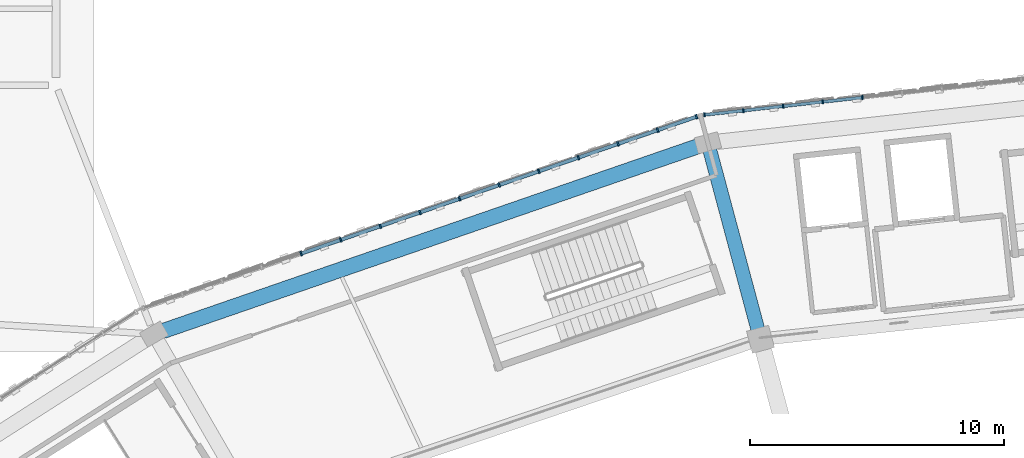
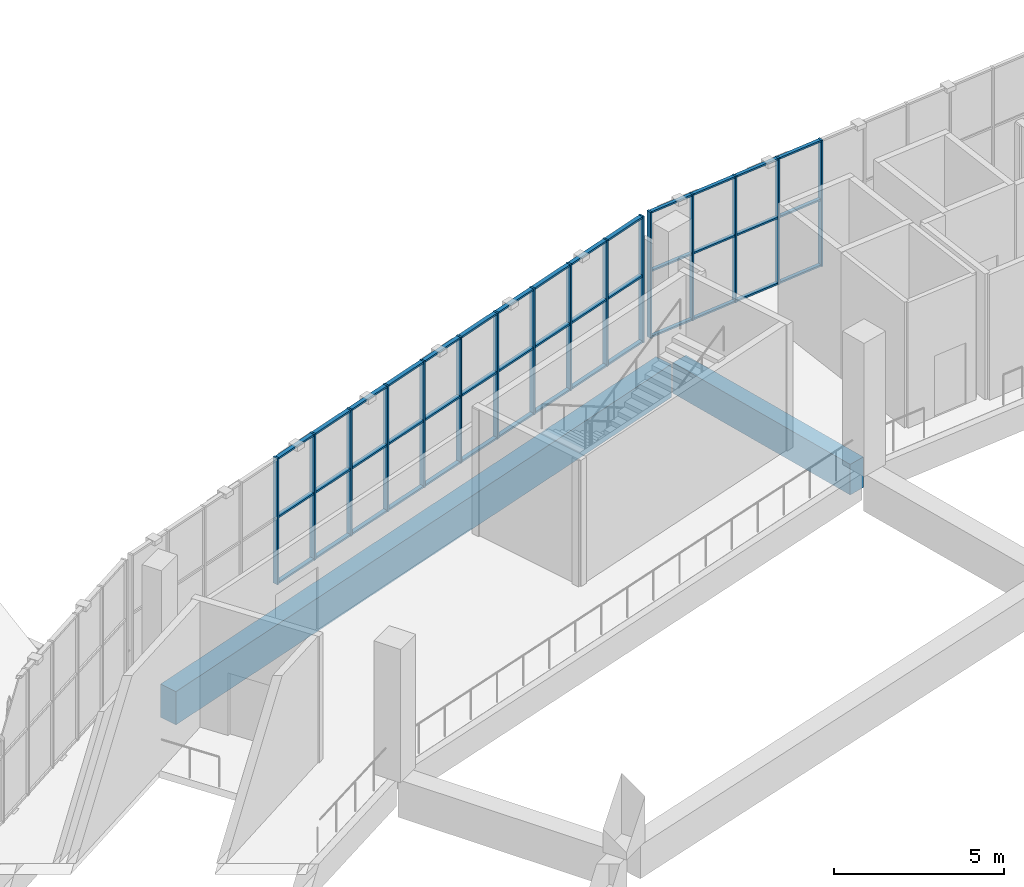
# One storey, part 39 of 108: 58 members, 2 beams, 2 elements without a shape of their own.
"""IFC4 building model written with IfcOpenShell, lengths in metres."""

import ifcopenshell
import ifcopenshell.guid

model = None  # the IFC model being written
_history = None  # IfcOwnerHistory: only IFC2X3 demands one
_inside = {}  # id of a spatial element -> (the spatial element, [elements in it])
_under = {}  # id of a project, library or spatial element -> (it, [spatial elements below it])
_declared = {}  # id of a project -> (the project, [libraries it declares])
_typed = {}  # id of a type object -> (the type object, [elements of that type])
_made_of = {}  # id of a material, layer set ... -> (it, [elements and type objects made of it])


def new_model(schema):
    """Start an empty IFC model of exactly this schema.

    Asked for "IFC4X3", IfcOpenShell would pick the latest addendum, in which some entities
    have other attributes; the version numbers below select the first issue.
    IFC2X3 requires an IfcOwnerHistory on every rooted entity: one is made here for all.
    """
    global model, _history
    if schema == "IFC4X3":
        model = ifcopenshell.file(schema_version=(4, 3, 0, 0))
    else:
        model = ifcopenshell.file(schema=schema)
    _inside.clear()
    _under.clear()
    _declared.clear()
    _typed.clear()
    _made_of.clear()
    _history = None
    if model.schema == "IFC2X3":
        org = make("IfcOrganization", Name="unknown")
        user = make(
            "IfcPersonAndOrganization",
            ThePerson=make("IfcPerson", FamilyName="unknown"),
            TheOrganization=org,
        )
        app = make(
            "IfcApplication",
            ApplicationDeveloper=org,
            Version="unknown",
            ApplicationFullName="unknown",
            ApplicationIdentifier="unknown",
        )
        _history = make(
            "IfcOwnerHistory",
            OwningUser=user,
            OwningApplication=app,
            ChangeAction="ADDED",
            CreationDate=0,
        )
    return model


def make(cls, **values):
    """One entity of the class cls with the attributes given. An attribute that is None is left unset."""
    return model.create_entity(
        cls, **{name: value for name, value in values.items() if value is not None}
    )


def rooted(cls, **values):
    """An entity with a GlobalId (a new one), such as an element, a storey or a relation."""
    return make(cls, GlobalId=ifcopenshell.guid.new(), OwnerHistory=_history, **values)


def si_unit(unit_type, name, prefix=None):
    """IfcSIUnit, for example si_unit("LENGTHUNIT", "METRE", prefix="MILLI")."""
    return make("IfcSIUnit", UnitType=unit_type, Prefix=prefix, Name=name)


def assignment(units):
    """IfcUnitAssignment: the units of a project."""
    return None if units is None else make("IfcUnitAssignment", Units=units)


def point(xyz):
    """IfcCartesianPoint."""
    return None if xyz is None else make("IfcCartesianPoint", Coordinates=xyz)


def direction(xyz):
    """IfcDirection."""
    return None if xyz is None else make("IfcDirection", DirectionRatios=xyz)


def frame(location, z_axis=None, x_axis=None):
    """IfcAxis2Placement3D, a coordinate frame: its origin and axes. An axis left out is left unset."""
    return make(
        "IfcAxis2Placement3D",
        Location=point(location),
        Axis=direction(z_axis),
        RefDirection=direction(x_axis),
    )


def frame_2d(location, x_axis=None):
    """IfcAxis2Placement2D, a coordinate frame in the plane: its origin and x axis."""
    return make(
        "IfcAxis2Placement2D", Location=point(location), RefDirection=direction(x_axis)
    )


def origin():
    """The frame at (0, 0, 0) with its axes left unset."""
    return frame((0.0, 0.0, 0.0))


def origin_2d():
    """The frame at (0, 0) in the plane with its x axis left unset."""
    return frame_2d((0.0, 0.0))


def place(relative_to, where):
    """IfcLocalPlacement: puts the frame where relative to a parent placement (None: the world)."""
    return make(
        "IfcLocalPlacement", PlacementRelTo=relative_to, RelativePlacement=where
    )


def context(
    kind, dimensions, precision=None, world=None, true_north=None, identifier=None
):
    """IfcGeometricRepresentationContext, for example the 3D "Model" context."""
    return make(
        "IfcGeometricRepresentationContext",
        ContextIdentifier=identifier,
        ContextType=kind,
        CoordinateSpaceDimension=dimensions,
        Precision=precision,
        WorldCoordinateSystem=world,
        TrueNorth=true_north,
    )


def subcontext(parent, identifier, kind, view, scale=None):
    """IfcGeometricRepresentationSubContext, for example "Body" below "Model"."""
    return make(
        "IfcGeometricRepresentationSubContext",
        ContextIdentifier=identifier,
        ContextType=kind,
        ParentContext=parent,
        TargetScale=scale,
        TargetView=view,
    )


def project(units=None, contexts=None):
    """IfcProject with its units and contexts."""
    return rooted(
        "IfcProject",
        Name="project",
        RepresentationContexts=contexts,
        UnitsInContext=assignment(units),
    )


def spatial(cls, under=None, at=None, **own):
    """A site, building, storey or space (cls), placed at a placement, below another one or the project."""
    s = rooted(cls, ObjectPlacement=at, **own)
    if under is not None:
        _under.setdefault(under.id(), (under, []))[1].append(s)
    return s


def profile(cls, at=None, kind="AREA", **sizes):
    """A parametric profile (cls). Its sizes go by their IFC names, for example OverallWidth=200.0."""
    return make(cls, ProfileType=kind, Position=at, **sizes)


def rectangle(**sizes):
    """IfcRectangleProfileDef."""
    return profile("IfcRectangleProfileDef", **sizes)


def extrude(swept, where, along, depth):
    """IfcExtrudedAreaSolid: the profile swept, set in the frame where, extruded along a direction by depth."""
    return make(
        "IfcExtrudedAreaSolid",
        SweptArea=swept,
        Position=where,
        ExtrudedDirection=direction(along),
        Depth=depth,
    )


def shape(context_of_items, identifier, shape_type, items):
    """IfcShapeRepresentation: the items that make up one representation, for example the "Body"."""
    return make(
        "IfcShapeRepresentation",
        ContextOfItems=context_of_items,
        RepresentationIdentifier=identifier,
        RepresentationType=shape_type,
        Items=items,
    )


def material(Name=None, Category=None):
    """IfcMaterial."""
    return make("IfcMaterial", Name=Name, Category=Category)


def material_profile(
    of_material, cross_section, Name=None, Category=None, Priority=None
):
    """IfcMaterialProfile: a cross section and its material."""
    return make(
        "IfcMaterialProfile",
        Name=Name,
        Material=of_material,
        Profile=cross_section,
        Priority=Priority,
        Category=Category,
    )


def profile_set(profiles, Name=None, composite=None):
    """IfcMaterialProfileSet."""
    return make(
        "IfcMaterialProfileSet",
        Name=Name,
        MaterialProfiles=profiles,
        CompositeProfile=composite,
    )


def made_of(thing, what):
    """Note that an element or type object is made of a material, layer set ...; save() writes the relation."""
    if what is not None:
        _made_of.setdefault(what.id(), (what, []))[1].append(thing)
    return thing


def type_object(cls, material=None, **own):
    """A type object (cls), such as IfcWallType, which elements share."""
    return made_of(rooted(cls, **own), material)


def element(
    cls,
    number,
    at=None,
    inside=None,
    cuts=None,
    type_object=None,
    material=None,
    context=None,
    identifier="Body",
    shape_type=None,
    held_by="IfcProductDefinitionShape",
    body=None,
    shapes=None,
    **own,
):
    """One element of the class cls, such as IfcWall. Its Tag is "e" and its number.

    at: its placement. inside: the storey or other place that contains it. cuts: it is an
    opening in that element (IfcRelVoidsElement). A single representation is given by context,
    identifier, shape_type and body (its items); several are given by shapes. held_by: the class
    of the entity that holds the representations. save() writes the other relations.
    """
    e = rooted(cls, Tag="e%d" % number, ObjectPlacement=at, **own)
    if body is not None:
        shapes = [shape(context, identifier, shape_type, body)]
    if shapes is not None:
        e.Representation = make(held_by, Representations=shapes)
    if inside is not None:
        _inside.setdefault(inside.id(), (inside, []))[1].append(e)
    if cuts is not None:
        rooted(
            "IfcRelVoidsElement", RelatingBuildingElement=cuts, RelatedOpeningElement=e
        )
    if type_object is not None:
        _typed.setdefault(type_object.id(), (type_object, []))[1].append(e)
    return made_of(e, material)


def aggregate(whole, parts):
    """IfcRelAggregates: a whole, such as a stair, and the parts it consists of."""
    return rooted("IfcRelAggregates", RelatingObject=whole, RelatedObjects=parts)


def save(model, path):
    """Write the relations noted so far, then the file.

    IfcRelAggregates (storeys below a building ...), IfcRelContainedInSpatialStructure (elements
    in a storey), IfcRelDefinesByType, IfcRelAssociatesMaterial and IfcRelDeclares: one each for
    every whole, place, type object, material and project.
    """
    for whole, parts in _under.values():
        aggregate(whole, parts)
    for where, things in _inside.values():
        rooted(
            "IfcRelContainedInSpatialStructure",
            RelatedElements=things,
            RelatingStructure=where,
        )
    for kind, things in _typed.values():
        rooted("IfcRelDefinesByType", RelatedObjects=things, RelatingType=kind)
    for what, things in _made_of.values():
        rooted("IfcRelAssociatesMaterial", RelatedObjects=things, RelatingMaterial=what)
    for by, libraries in _declared.values():
        rooted("IfcRelDeclares", RelatingContext=by, RelatedDefinitions=libraries)
    model.write(path)


model = new_model("IFC4")

# Units and contexts
model_context = context("Model", 3, precision=1e-05, world=origin(), true_north=direction((0.0, 1.0)))
body_context = subcontext(model_context, "Body", "Model", "MODEL_VIEW")
ifc_project = project(units=[si_unit("LENGTHUNIT", "METRE"), si_unit("AREAUNIT", "SQUARE_METRE"), si_unit("VOLUMEUNIT", "CUBIC_METRE"), si_unit("PLANEANGLEUNIT", "RADIAN"), si_unit("MASSUNIT", "GRAM", prefix="KILO")], contexts=[model_context])

# Site, building, storey
site_placement = place(None, origin())
site = spatial("IfcSite", under=ifc_project, at=site_placement, CompositionType="ELEMENT")
building_placement = place(site_placement, origin())
building = spatial("IfcBuilding", under=site, at=building_placement, Name="Zevraka Park Crest Stadium", CompositionType="ELEMENT")
storey_placement = place(building_placement, frame((0.0, 0.0, 19.800048828125)))
storey = spatial("IfcBuildingStorey", under=building, at=storey_placement, Name="L04", CompositionType="ELEMENT", Elevation=19.800048828125)

# Beam
ifc_material_1 = material(Name="Concrete C40/50", Category="concrete")
ifc_material_profile_1 = material_profile(ifc_material_1, rectangle(XDim=0.550048828125, YDim=1.10009765625, at=origin_2d()), Name="RC 1100x550")
ifc_profile_set_1 = profile_set([ifc_material_profile_1], Name="Concrete C40/50")
beam_type_1 = type_object("IfcBeamType", Name="BG02", PredefinedType="BEAM", material=ifc_profile_set_1)
beam_1_placement = place(storey_placement, frame((90.62109375, 157.297119140625, -0.56005859375), z_axis=(-0.258697599806, 0.965958359276, 0.0), x_axis=(-0.965958359276, -0.258697599806, 0.0)))
element("IfcBeam", 1, at=beam_1_placement, inside=storey, type_object=beam_type_1, Name="Radial Girder BG02 L04-CD-07", PredefinedType="BEAM", context=body_context, shape_type="SweptSolid", body=[
    extrude(rectangle(XDim=0.550048828125, YDim=1.10009765625, at=origin_2d()), origin(), (0.0, 0.0, 1.0), 7.39892578125),
])

# Curtain wall, members
ifc_material_2 = material(Name="Anodised architectural aluminium and laminated safety glass", Category="aluminium")
curtain_wall_type_1 = type_object("IfcCurtainWallType", Name="CW16", PredefinedType="NOTDEFINED", material=ifc_material_2)
curtain_wall_1_placement = place(storey_placement, origin())
curtain_wall_1 = element("IfcCurtainWall", 2, at=curtain_wall_1_placement, inside=storey, type_object=curtain_wall_type_1, Name="Unitised Ring Curtain Wall CW16 L04-06", PredefinedType="NOTDEFINED")
ifc_material_3 = material(Name="Anodised architectural aluminium", Category="aluminium")
ifc_material_profile_2 = material_profile(ifc_material_3, rectangle(XDim=0.159912109375, YDim=0.06005859375, at=origin_2d()), Name="ALU MULLION 160x60")
ifc_profile_set_2 = profile_set([ifc_material_profile_2], Name="Anodised architectural aluminium")
member_type_1 = type_object("IfcMemberType", Name="CM01", PredefinedType="MULLION", material=ifc_profile_set_2)
member_1_placement = place(storey_placement, frame((94.70703125, 166.515869140625, 0.0), z_axis=(0.0, 0.0, 1.0), x_axis=(0.109405941967, -0.993997152844, 0.0)))
member_1 = element("IfcMember", 3, at=member_1_placement, type_object=member_type_1, Name="CW16 mullion 12", PredefinedType="MULLION", context=body_context, shape_type="SweptSolid", body=[
    extrude(rectangle(XDim=0.159912109375, YDim=0.06005859375, at=origin_2d()), origin(), (0.0, 0.0, 1.0), 4.5400390625),
])
member_2_placement = place(storey_placement, frame((93.146728515625, 166.34423828125, 0.0), z_axis=(0.0, 0.0, 1.0), x_axis=(0.109405941967, -0.993997152844, 0.0)))
member_2 = element("IfcMember", 4, at=member_2_placement, type_object=member_type_1, Name="CW16 mullion 13", PredefinedType="MULLION", context=body_context, shape_type="SweptSolid", body=[
    extrude(rectangle(XDim=0.159912109375, YDim=0.06005859375, at=origin_2d()), origin(), (0.0, 0.0, 1.0), 4.5400390625),
])
member_3_placement = place(storey_placement, frame((91.58642578125, 166.17236328125, 0.0), z_axis=(0.0, 0.0, 1.0), x_axis=(0.109405941967, -0.993997152844, 0.0)))
member_3 = element("IfcMember", 5, at=member_3_placement, type_object=member_type_1, Name="CW16 mullion 14", PredefinedType="MULLION", context=body_context, shape_type="SweptSolid", body=[
    extrude(rectangle(XDim=0.159912109375, YDim=0.06005859375, at=origin_2d()), origin(), (0.0, 0.0, 1.0), 4.5400390625),
])
member_4_placement = place(storey_placement, frame((90.0263671875, 166.000732421875, 0.0), z_axis=(0.0, 0.0, 1.0), x_axis=(0.109405941967, -0.993997152844, 0.0)))
member_4 = element("IfcMember", 6, at=member_4_placement, type_object=member_type_1, Name="CW16 mullion 15", PredefinedType="MULLION", context=body_context, shape_type="SweptSolid", body=[
    extrude(rectangle(XDim=0.159912109375, YDim=0.06005859375, at=origin_2d()), origin(), (0.0, 0.0, 1.0), 4.5400390625),
])
member_5_placement = place(storey_placement, frame((88.495849609375, 165.832275390625, 0.0), z_axis=(0.0, 0.0, 1.0), x_axis=(0.109405941967, -0.993997152844, 0.0)))
member_5 = element("IfcMember", 7, at=member_5_placement, type_object=member_type_1, Name="CW16 mullion 16", PredefinedType="MULLION", context=body_context, shape_type="SweptSolid", body=[
    extrude(rectangle(XDim=0.159912109375, YDim=0.06005859375, at=origin_2d()), origin(), (0.0, 0.0, 1.0), 4.5400390625),
])

ifc_material_4 = material(Name="Anodised architectural aluminium and laminated safety glass", Category="aluminium")
curtain_wall_type_2 = type_object("IfcCurtainWallType", Name="CW17", PredefinedType="NOTDEFINED", material=ifc_material_4)
curtain_wall_2_placement = place(storey_placement, origin())
curtain_wall_2 = element("IfcCurtainWall", 8, at=curtain_wall_2_placement, inside=storey, type_object=curtain_wall_type_2, Name="Unitised Ring Curtain Wall CW17 L04-07", PredefinedType="NOTDEFINED")
ifc_material_5 = material(Name="Anodised architectural aluminium", Category="aluminium")
ifc_material_profile_3 = material_profile(ifc_material_5, rectangle(XDim=0.179931640625, YDim=0.06494140625, at=origin_2d()), Name="ALU MULLION 180x65")
ifc_profile_set_3 = profile_set([ifc_material_profile_3], Name="Anodised architectural aluminium")
member_type_2 = type_object("IfcMemberType", Name="CM02", PredefinedType="MULLION", material=ifc_profile_set_3)
member_6_placement = place(storey_placement, frame((88.181396484375, 165.761474609375, 0.0), z_axis=(0.0, 0.0, 1.0), x_axis=(0.327244524523, -0.944939691816, 0.0)))
member_6 = element("IfcMember", 9, at=member_6_placement, type_object=member_type_2, Name="CW17 mullion 1", PredefinedType="MULLION", context=body_context, shape_type="SweptSolid", body=[
    extrude(rectangle(XDim=0.179931640625, YDim=0.06494140625, at=origin_2d()), origin(), (0.0, 0.0, 1.0), 4.5400390625),
])
member_7_placement = place(storey_placement, frame((86.654541015625, 165.232666015625, 0.0), z_axis=(0.0, 0.0, 1.0), x_axis=(0.327244524523, -0.944939691816, 0.0)))
member_7 = element("IfcMember", 10, at=member_7_placement, type_object=member_type_2, Name="CW17 mullion 2", PredefinedType="MULLION", context=body_context, shape_type="SweptSolid", body=[
    extrude(rectangle(XDim=0.179931640625, YDim=0.06494140625, at=origin_2d()), origin(), (0.0, 0.0, 1.0), 4.5400390625),
])
member_8_placement = place(storey_placement, frame((85.09716796875, 164.693359375, 0.0), z_axis=(0.0, 0.0, 1.0), x_axis=(0.327244524523, -0.944939691816, 0.0)))
member_8 = element("IfcMember", 11, at=member_8_placement, type_object=member_type_2, Name="CW17 mullion 3", PredefinedType="MULLION", context=body_context, shape_type="SweptSolid", body=[
    extrude(rectangle(XDim=0.179931640625, YDim=0.06494140625, at=origin_2d()), origin(), (0.0, 0.0, 1.0), 4.5400390625),
])
member_9_placement = place(storey_placement, frame((83.539794921875, 164.15380859375, 0.0), z_axis=(0.0, 0.0, 1.0), x_axis=(0.327244524523, -0.944939691816, 0.0)))
member_9 = element("IfcMember", 12, at=member_9_placement, type_object=member_type_2, Name="CW17 mullion 4", PredefinedType="MULLION", context=body_context, shape_type="SweptSolid", body=[
    extrude(rectangle(XDim=0.179931640625, YDim=0.06494140625, at=origin_2d()), origin(), (0.0, 0.0, 1.0), 4.5400390625),
])
member_10_placement = place(storey_placement, frame((81.982177734375, 163.614501953125, 0.0), z_axis=(0.0, 0.0, 1.0), x_axis=(0.327244524523, -0.944939691816, 0.0)))
member_10 = element("IfcMember", 13, at=member_10_placement, type_object=member_type_2, Name="CW17 mullion 5", PredefinedType="MULLION", context=body_context, shape_type="SweptSolid", body=[
    extrude(rectangle(XDim=0.179931640625, YDim=0.06494140625, at=origin_2d()), origin(), (0.0, 0.0, 1.0), 4.5400390625),
])
member_11_placement = place(storey_placement, frame((80.4248046875, 163.0751953125, 0.0), z_axis=(0.0, 0.0, 1.0), x_axis=(0.327244524523, -0.944939691816, 0.0)))
member_11 = element("IfcMember", 14, at=member_11_placement, type_object=member_type_2, Name="CW17 mullion 6", PredefinedType="MULLION", context=body_context, shape_type="SweptSolid", body=[
    extrude(rectangle(XDim=0.179931640625, YDim=0.06494140625, at=origin_2d()), origin(), (0.0, 0.0, 1.0), 4.5400390625),
])
member_12_placement = place(storey_placement, frame((78.867431640625, 162.535888671875, 0.0), z_axis=(0.0, 0.0, 1.0), x_axis=(0.327244524523, -0.944939691816, 0.0)))
member_12 = element("IfcMember", 15, at=member_12_placement, type_object=member_type_2, Name="CW17 mullion 7", PredefinedType="MULLION", context=body_context, shape_type="SweptSolid", body=[
    extrude(rectangle(XDim=0.179931640625, YDim=0.06494140625, at=origin_2d()), origin(), (0.0, 0.0, 1.0), 4.5400390625),
])
member_13_placement = place(storey_placement, frame((77.31005859375, 161.99658203125, 0.0), z_axis=(0.0, 0.0, 1.0), x_axis=(0.327244524523, -0.944939691816, 0.0)))
member_13 = element("IfcMember", 16, at=member_13_placement, type_object=member_type_2, Name="CW17 mullion 8", PredefinedType="MULLION", context=body_context, shape_type="SweptSolid", body=[
    extrude(rectangle(XDim=0.179931640625, YDim=0.06494140625, at=origin_2d()), origin(), (0.0, 0.0, 1.0), 4.5400390625),
])
member_14_placement = place(storey_placement, frame((75.752685546875, 161.45703125, 0.0), z_axis=(0.0, 0.0, 1.0), x_axis=(0.327244524523, -0.944939691816, 0.0)))
member_14 = element("IfcMember", 17, at=member_14_placement, type_object=member_type_2, Name="CW17 mullion 9", PredefinedType="MULLION", context=body_context, shape_type="SweptSolid", body=[
    extrude(rectangle(XDim=0.179931640625, YDim=0.06494140625, at=origin_2d()), origin(), (0.0, 0.0, 1.0), 4.5400390625),
])
member_15_placement = place(storey_placement, frame((74.195068359375, 160.917724609375, 0.0), z_axis=(0.0, 0.0, 1.0), x_axis=(0.327244524523, -0.944939691816, 0.0)))
member_15 = element("IfcMember", 18, at=member_15_placement, type_object=member_type_2, Name="CW17 mullion 10", PredefinedType="MULLION", context=body_context, shape_type="SweptSolid", body=[
    extrude(rectangle(XDim=0.179931640625, YDim=0.06494140625, at=origin_2d()), origin(), (0.0, 0.0, 1.0), 4.5400390625),
])
member_16_placement = place(storey_placement, frame((72.6376953125, 160.37841796875, 0.0), z_axis=(0.0, 0.0, 1.0), x_axis=(0.327244524523, -0.944939691816, 0.0)))
member_16 = element("IfcMember", 19, at=member_16_placement, type_object=member_type_2, Name="CW17 mullion 11", PredefinedType="MULLION", context=body_context, shape_type="SweptSolid", body=[
    extrude(rectangle(XDim=0.179931640625, YDim=0.06494140625, at=origin_2d()), origin(), (0.0, 0.0, 1.0), 4.5400390625),
])

# Member
ifc_material_6 = material(Name="Anodised architectural aluminium", Category="aluminium")
ifc_material_profile_4 = material_profile(ifc_material_6, rectangle(XDim=0.1201171875, YDim=0.06005859375, at=origin_2d()), Name="ALU TRANSOM 120x60")
ifc_profile_set_4 = profile_set([ifc_material_profile_4], Name="Anodised architectural aluminium")
member_type_3 = type_object("IfcMemberType", Name="CT01", PredefinedType="USERDEFINED", material=ifc_profile_set_4)
member_17_placement = place(storey_placement, frame((94.67724609375, 166.5126953125, 0.030029296875), z_axis=(-0.993989760088, -0.109473087291, 0.0), x_axis=(0.109473087291, -0.993989760088, 0.0)))
member_17 = element("IfcMember", 20, at=member_17_placement, type_object=member_type_3, Name="CW16 transom 12.1", ObjectType="TRANSOM", PredefinedType="USERDEFINED", context=body_context, shape_type="SweptSolid", body=[
    extrude(rectangle(XDim=0.1201171875, YDim=0.06005859375, at=origin_2d()), origin(), (0.0, 0.0, 1.0), 1.509765625),
])

member_18_placement = place(storey_placement, frame((94.67724609375, 166.5126953125, 2.39990234375), z_axis=(-0.993989760088, -0.109473087291, 0.0), x_axis=(0.109473087291, -0.993989760088, 0.0)))
member_18 = element("IfcMember", 21, at=member_18_placement, type_object=member_type_3, Name="CW16 transom 12.2", ObjectType="TRANSOM", PredefinedType="USERDEFINED", context=body_context, shape_type="SweptSolid", body=[
    extrude(rectangle(XDim=0.1201171875, YDim=0.06005859375, at=origin_2d()), origin(), (0.0, 0.0, 1.0), 1.509765625),
])

member_19_placement = place(storey_placement, frame((94.67724609375, 166.5126953125, 4.510009765625), z_axis=(-0.993989760088, -0.109473087291, 0.0), x_axis=(0.109473087291, -0.993989760088, 0.0)))
member_19 = element("IfcMember", 22, at=member_19_placement, type_object=member_type_3, Name="CW16 transom 12.3", ObjectType="TRANSOM", PredefinedType="USERDEFINED", context=body_context, shape_type="SweptSolid", body=[
    extrude(rectangle(XDim=0.1201171875, YDim=0.06005859375, at=origin_2d()), origin(), (0.0, 0.0, 1.0), 1.509765625),
])

member_20_placement = place(storey_placement, frame((93.116943359375, 166.3408203125, 0.030029296875), z_axis=(-0.994005410559, -0.109330891236, 0.0), x_axis=(0.109330891236, -0.994005410559, 0.0)))
member_20 = element("IfcMember", 23, at=member_20_placement, type_object=member_type_3, Name="CW16 transom 13.1", ObjectType="TRANSOM", PredefinedType="USERDEFINED", context=body_context, shape_type="SweptSolid", body=[
    extrude(rectangle(XDim=0.1201171875, YDim=0.06005859375, at=origin_2d()), origin(), (0.0, 0.0, 1.0), 1.509521484375),
])

member_21_placement = place(storey_placement, frame((93.116943359375, 166.3408203125, 2.39990234375), z_axis=(-0.994005410559, -0.109330891236, 0.0), x_axis=(0.109330891236, -0.994005410559, 0.0)))
member_21 = element("IfcMember", 24, at=member_21_placement, type_object=member_type_3, Name="CW16 transom 13.2", ObjectType="TRANSOM", PredefinedType="USERDEFINED", context=body_context, shape_type="SweptSolid", body=[
    extrude(rectangle(XDim=0.1201171875, YDim=0.06005859375, at=origin_2d()), origin(), (0.0, 0.0, 1.0), 1.509521484375),
])

member_22_placement = place(storey_placement, frame((93.116943359375, 166.3408203125, 4.510009765625), z_axis=(-0.994005410559, -0.109330891236, 0.0), x_axis=(0.109330891236, -0.994005410559, 0.0)))
member_22 = element("IfcMember", 25, at=member_22_placement, type_object=member_type_3, Name="CW16 transom 13.3", ObjectType="TRANSOM", PredefinedType="USERDEFINED", context=body_context, shape_type="SweptSolid", body=[
    extrude(rectangle(XDim=0.1201171875, YDim=0.06005859375, at=origin_2d()), origin(), (0.0, 0.0, 1.0), 1.509521484375),
])

member_23_placement = place(storey_placement, frame((91.556640625, 166.169189453125, 0.030029296875), z_axis=(-0.993987821711, -0.10949068586, 0.0), x_axis=(0.10949068586, -0.993987821711, 0.0)))
member_23 = element("IfcMember", 26, at=member_23_placement, type_object=member_type_3, Name="CW16 transom 14.1", ObjectType="TRANSOM", PredefinedType="USERDEFINED", context=body_context, shape_type="SweptSolid", body=[
    extrude(rectangle(XDim=0.1201171875, YDim=0.06005859375, at=origin_2d()), origin(), (0.0, 0.0, 1.0), 1.509521484375),
])

member_24_placement = place(storey_placement, frame((91.556640625, 166.169189453125, 2.39990234375), z_axis=(-0.993987821711, -0.10949068586, 0.0), x_axis=(0.10949068586, -0.993987821711, 0.0)))
member_24 = element("IfcMember", 27, at=member_24_placement, type_object=member_type_3, Name="CW16 transom 14.2", ObjectType="TRANSOM", PredefinedType="USERDEFINED", context=body_context, shape_type="SweptSolid", body=[
    extrude(rectangle(XDim=0.1201171875, YDim=0.06005859375, at=origin_2d()), origin(), (0.0, 0.0, 1.0), 1.509521484375),
])

member_25_placement = place(storey_placement, frame((91.556640625, 166.169189453125, 4.510009765625), z_axis=(-0.993987821711, -0.10949068586, 0.0), x_axis=(0.10949068586, -0.993987821711, 0.0)))
member_25 = element("IfcMember", 28, at=member_25_placement, type_object=member_type_3, Name="CW16 transom 14.3", ObjectType="TRANSOM", PredefinedType="USERDEFINED", context=body_context, shape_type="SweptSolid", body=[
    extrude(rectangle(XDim=0.1201171875, YDim=0.06005859375, at=origin_2d()), origin(), (0.0, 0.0, 1.0), 1.509521484375),
])

member_26_placement = place(storey_placement, frame((89.996337890625, 165.99755859375, 0.030029296875), z_axis=(-0.993979941823, -0.109562198103, 0.0), x_axis=(0.109562198103, -0.993979941823, 0.0)))
member_26 = element("IfcMember", 29, at=member_26_placement, type_object=member_type_3, Name="CW16 transom 15.1", ObjectType="TRANSOM", PredefinedType="USERDEFINED", context=body_context, shape_type="SweptSolid", body=[
    extrude(rectangle(XDim=0.1201171875, YDim=0.06005859375, at=origin_2d()), origin(), (0.0, 0.0, 1.0), 1.4794921875),
])

member_27_placement = place(storey_placement, frame((89.996337890625, 165.99755859375, 2.39990234375), z_axis=(-0.993979941823, -0.109562198103, 0.0), x_axis=(0.109562198103, -0.993979941823, 0.0)))
member_27 = element("IfcMember", 30, at=member_27_placement, type_object=member_type_3, Name="CW16 transom 15.2", ObjectType="TRANSOM", PredefinedType="USERDEFINED", context=body_context, shape_type="SweptSolid", body=[
    extrude(rectangle(XDim=0.1201171875, YDim=0.06005859375, at=origin_2d()), origin(), (0.0, 0.0, 1.0), 1.4794921875),
])

member_28_placement = place(storey_placement, frame((89.996337890625, 165.99755859375, 4.510009765625), z_axis=(-0.993979941823, -0.109562198103, 0.0), x_axis=(0.109562198103, -0.993979941823, 0.0)))
member_28 = element("IfcMember", 31, at=member_28_placement, type_object=member_type_3, Name="CW16 transom 15.3", ObjectType="TRANSOM", PredefinedType="USERDEFINED", context=body_context, shape_type="SweptSolid", body=[
    extrude(rectangle(XDim=0.1201171875, YDim=0.06005859375, at=origin_2d()), origin(), (0.0, 0.0, 1.0), 1.4794921875),
])

aggregate(curtain_wall_1, [member_1, member_2, member_3, member_4, member_5, member_17, member_18, member_19, member_20, member_21, member_22, member_23, member_24, member_25, member_26, member_27, member_28])

ifc_material_7 = material(Name="Anodised architectural aluminium", Category="aluminium")
ifc_material_profile_5 = material_profile(ifc_material_7, rectangle(XDim=0.139892578125, YDim=0.06494140625, at=origin_2d()), Name="ALU TRANSOM 140x65")
ifc_profile_set_5 = profile_set([ifc_material_profile_5], Name="Anodised architectural aluminium")
member_type_4 = type_object("IfcMemberType", Name="CT02", PredefinedType="USERDEFINED", material=ifc_profile_set_5)
member_29_placement = place(storey_placement, frame((88.150634765625, 165.750732421875, 0.032470703125), z_axis=(-0.944918670821, -0.3273052177, 0.0), x_axis=(0.3273052177, -0.944918670821, 0.0)))
member_29 = element("IfcMember", 32, at=member_29_placement, type_object=member_type_4, Name="CW17 transom 1.1", ObjectType="TRANSOM", PredefinedType="USERDEFINED", context=body_context, shape_type="SweptSolid", body=[
    extrude(rectangle(XDim=0.139892578125, YDim=0.06494140625, at=origin_2d()), origin(), (0.0, 0.0, 1.0), 1.55078125),
])

member_30_placement = place(storey_placement, frame((88.150634765625, 165.750732421875, 2.39990234375), z_axis=(-0.944918670821, -0.3273052177, 0.0), x_axis=(0.3273052177, -0.944918670821, 0.0)))
member_30 = element("IfcMember", 33, at=member_30_placement, type_object=member_type_4, Name="CW17 transom 1.2", ObjectType="TRANSOM", PredefinedType="USERDEFINED", context=body_context, shape_type="SweptSolid", body=[
    extrude(rectangle(XDim=0.139892578125, YDim=0.06494140625, at=origin_2d()), origin(), (0.0, 0.0, 1.0), 1.55078125),
])

member_31_placement = place(storey_placement, frame((88.150634765625, 165.750732421875, 4.507568359375), z_axis=(-0.944918670821, -0.3273052177, 0.0), x_axis=(0.3273052177, -0.944918670821, 0.0)))
member_31 = element("IfcMember", 34, at=member_31_placement, type_object=member_type_4, Name="CW17 transom 1.3", ObjectType="TRANSOM", PredefinedType="USERDEFINED", context=body_context, shape_type="SweptSolid", body=[
    extrude(rectangle(XDim=0.139892578125, YDim=0.06494140625, at=origin_2d()), origin(), (0.0, 0.0, 1.0), 1.55078125),
])

member_32_placement = place(storey_placement, frame((86.623779296875, 165.221923828125, 0.032470703125), z_axis=(-0.944932887153, -0.327264172766, 0.0), x_axis=(0.327264172766, -0.944932887153, 0.0)))
member_32 = element("IfcMember", 35, at=member_32_placement, type_object=member_type_4, Name="CW17 transom 2.1", ObjectType="TRANSOM", PredefinedType="USERDEFINED", context=body_context, shape_type="SweptSolid", body=[
    extrude(rectangle(XDim=0.139892578125, YDim=0.06494140625, at=origin_2d()), origin(), (0.0, 0.0, 1.0), 1.5830078125),
])

member_33_placement = place(storey_placement, frame((86.623779296875, 165.221923828125, 2.39990234375), z_axis=(-0.944932887153, -0.327264172766, 0.0), x_axis=(0.327264172766, -0.944932887153, 0.0)))
member_33 = element("IfcMember", 36, at=member_33_placement, type_object=member_type_4, Name="CW17 transom 2.2", ObjectType="TRANSOM", PredefinedType="USERDEFINED", context=body_context, shape_type="SweptSolid", body=[
    extrude(rectangle(XDim=0.139892578125, YDim=0.06494140625, at=origin_2d()), origin(), (0.0, 0.0, 1.0), 1.5830078125),
])

member_34_placement = place(storey_placement, frame((86.623779296875, 165.221923828125, 4.507568359375), z_axis=(-0.944932887153, -0.327264172766, 0.0), x_axis=(0.327264172766, -0.944932887153, 0.0)))
member_34 = element("IfcMember", 37, at=member_34_placement, type_object=member_type_4, Name="CW17 transom 2.3", ObjectType="TRANSOM", PredefinedType="USERDEFINED", context=body_context, shape_type="SweptSolid", body=[
    extrude(rectangle(XDim=0.139892578125, YDim=0.06494140625, at=origin_2d()), origin(), (0.0, 0.0, 1.0), 1.5830078125),
])

member_35_placement = place(storey_placement, frame((85.06640625, 164.6826171875, 0.032470703125), z_axis=(-0.94494940126, -0.327216486533, 0.0), x_axis=(0.327216486533, -0.94494940126, 0.0)))
member_35 = element("IfcMember", 38, at=member_35_placement, type_object=member_type_4, Name="CW17 transom 3.1", ObjectType="TRANSOM", PredefinedType="USERDEFINED", context=body_context, shape_type="SweptSolid", body=[
    extrude(rectangle(XDim=0.139892578125, YDim=0.06494140625, at=origin_2d()), origin(), (0.0, 0.0, 1.0), 1.583251953125),
])

member_36_placement = place(storey_placement, frame((85.06640625, 164.6826171875, 2.39990234375), z_axis=(-0.94494940126, -0.327216486533, 0.0), x_axis=(0.327216486533, -0.94494940126, 0.0)))
member_36 = element("IfcMember", 39, at=member_36_placement, type_object=member_type_4, Name="CW17 transom 3.2", ObjectType="TRANSOM", PredefinedType="USERDEFINED", context=body_context, shape_type="SweptSolid", body=[
    extrude(rectangle(XDim=0.139892578125, YDim=0.06494140625, at=origin_2d()), origin(), (0.0, 0.0, 1.0), 1.583251953125),
])

member_37_placement = place(storey_placement, frame((85.06640625, 164.6826171875, 4.507568359375), z_axis=(-0.94494940126, -0.327216486533, 0.0), x_axis=(0.327216486533, -0.94494940126, 0.0)))
member_37 = element("IfcMember", 40, at=member_37_placement, type_object=member_type_4, Name="CW17 transom 3.3", ObjectType="TRANSOM", PredefinedType="USERDEFINED", context=body_context, shape_type="SweptSolid", body=[
    extrude(rectangle(XDim=0.139892578125, YDim=0.06494140625, at=origin_2d()), origin(), (0.0, 0.0, 1.0), 1.583251953125),
])

member_38_placement = place(storey_placement, frame((83.509033203125, 164.143310546875, 0.032470703125), z_axis=(-0.94494940126, -0.327216486533, 0.0), x_axis=(0.327216486533, -0.94494940126, 0.0)))
member_38 = element("IfcMember", 41, at=member_38_placement, type_object=member_type_4, Name="CW17 transom 4.1", ObjectType="TRANSOM", PredefinedType="USERDEFINED", context=body_context, shape_type="SweptSolid", body=[
    extrude(rectangle(XDim=0.139892578125, YDim=0.06494140625, at=origin_2d()), origin(), (0.0, 0.0, 1.0), 1.583251953125),
])

member_39_placement = place(storey_placement, frame((83.509033203125, 164.143310546875, 2.39990234375), z_axis=(-0.94494940126, -0.327216486533, 0.0), x_axis=(0.327216486533, -0.94494940126, 0.0)))
member_39 = element("IfcMember", 42, at=member_39_placement, type_object=member_type_4, Name="CW17 transom 4.2", ObjectType="TRANSOM", PredefinedType="USERDEFINED", context=body_context, shape_type="SweptSolid", body=[
    extrude(rectangle(XDim=0.139892578125, YDim=0.06494140625, at=origin_2d()), origin(), (0.0, 0.0, 1.0), 1.583251953125),
])

member_40_placement = place(storey_placement, frame((83.509033203125, 164.143310546875, 4.507568359375), z_axis=(-0.94494940126, -0.327216486533, 0.0), x_axis=(0.327216486533, -0.94494940126, 0.0)))
member_40 = element("IfcMember", 43, at=member_40_placement, type_object=member_type_4, Name="CW17 transom 4.3", ObjectType="TRANSOM", PredefinedType="USERDEFINED", context=body_context, shape_type="SweptSolid", body=[
    extrude(rectangle(XDim=0.139892578125, YDim=0.06494140625, at=origin_2d()), origin(), (0.0, 0.0, 1.0), 1.583251953125),
])

member_41_placement = place(storey_placement, frame((81.95166015625, 163.60400390625, 0.032470703125), z_axis=(-0.94494940126, -0.327216486533, 0.0), x_axis=(0.327216486533, -0.94494940126, 0.0)))
member_41 = element("IfcMember", 44, at=member_41_placement, type_object=member_type_4, Name="CW17 transom 5.1", ObjectType="TRANSOM", PredefinedType="USERDEFINED", context=body_context, shape_type="SweptSolid", body=[
    extrude(rectangle(XDim=0.139892578125, YDim=0.06494140625, at=origin_2d()), origin(), (0.0, 0.0, 1.0), 1.583251953125),
])

member_42_placement = place(storey_placement, frame((81.95166015625, 163.60400390625, 2.39990234375), z_axis=(-0.94494940126, -0.327216486533, 0.0), x_axis=(0.327216486533, -0.94494940126, 0.0)))
member_42 = element("IfcMember", 45, at=member_42_placement, type_object=member_type_4, Name="CW17 transom 5.2", ObjectType="TRANSOM", PredefinedType="USERDEFINED", context=body_context, shape_type="SweptSolid", body=[
    extrude(rectangle(XDim=0.139892578125, YDim=0.06494140625, at=origin_2d()), origin(), (0.0, 0.0, 1.0), 1.583251953125),
])

member_43_placement = place(storey_placement, frame((81.95166015625, 163.60400390625, 4.507568359375), z_axis=(-0.94494940126, -0.327216486533, 0.0), x_axis=(0.327216486533, -0.94494940126, 0.0)))
member_43 = element("IfcMember", 46, at=member_43_placement, type_object=member_type_4, Name="CW17 transom 5.3", ObjectType="TRANSOM", PredefinedType="USERDEFINED", context=body_context, shape_type="SweptSolid", body=[
    extrude(rectangle(XDim=0.139892578125, YDim=0.06494140625, at=origin_2d()), origin(), (0.0, 0.0, 1.0), 1.583251953125),
])

member_44_placement = place(storey_placement, frame((80.39404296875, 163.064697265625, 0.032470703125), z_axis=(-0.944885186761, -0.327401869021, 0.0), x_axis=(0.327401869021, -0.944885186761, 0.0)))
member_44 = element("IfcMember", 47, at=member_44_placement, type_object=member_type_4, Name="CW17 transom 6.1", ObjectType="TRANSOM", PredefinedType="USERDEFINED", context=body_context, shape_type="SweptSolid", body=[
    extrude(rectangle(XDim=0.139892578125, YDim=0.06494140625, at=origin_2d()), origin(), (0.0, 0.0, 1.0), 1.5830078125),
])

member_45_placement = place(storey_placement, frame((80.39404296875, 163.064697265625, 2.39990234375), z_axis=(-0.944885186761, -0.327401869021, 0.0), x_axis=(0.327401869021, -0.944885186761, 0.0)))
member_45 = element("IfcMember", 48, at=member_45_placement, type_object=member_type_4, Name="CW17 transom 6.2", ObjectType="TRANSOM", PredefinedType="USERDEFINED", context=body_context, shape_type="SweptSolid", body=[
    extrude(rectangle(XDim=0.139892578125, YDim=0.06494140625, at=origin_2d()), origin(), (0.0, 0.0, 1.0), 1.5830078125),
])

member_46_placement = place(storey_placement, frame((80.39404296875, 163.064697265625, 4.507568359375), z_axis=(-0.944885186761, -0.327401869021, 0.0), x_axis=(0.327401869021, -0.944885186761, 0.0)))
member_46 = element("IfcMember", 49, at=member_46_placement, type_object=member_type_4, Name="CW17 transom 6.3", ObjectType="TRANSOM", PredefinedType="USERDEFINED", context=body_context, shape_type="SweptSolid", body=[
    extrude(rectangle(XDim=0.139892578125, YDim=0.06494140625, at=origin_2d()), origin(), (0.0, 0.0, 1.0), 1.5830078125),
])

member_47_placement = place(storey_placement, frame((78.836669921875, 162.525146484375, 0.032470703125), z_axis=(-0.944932887153, -0.327264172766, 0.0), x_axis=(0.327264172766, -0.944932887153, 0.0)))
member_47 = element("IfcMember", 50, at=member_47_placement, type_object=member_type_4, Name="CW17 transom 7.1", ObjectType="TRANSOM", PredefinedType="USERDEFINED", context=body_context, shape_type="SweptSolid", body=[
    extrude(rectangle(XDim=0.139892578125, YDim=0.06494140625, at=origin_2d()), origin(), (0.0, 0.0, 1.0), 1.5830078125),
])

member_48_placement = place(storey_placement, frame((78.836669921875, 162.525146484375, 2.39990234375), z_axis=(-0.944932887153, -0.327264172766, 0.0), x_axis=(0.327264172766, -0.944932887153, 0.0)))
member_48 = element("IfcMember", 51, at=member_48_placement, type_object=member_type_4, Name="CW17 transom 7.2", ObjectType="TRANSOM", PredefinedType="USERDEFINED", context=body_context, shape_type="SweptSolid", body=[
    extrude(rectangle(XDim=0.139892578125, YDim=0.06494140625, at=origin_2d()), origin(), (0.0, 0.0, 1.0), 1.5830078125),
])

member_49_placement = place(storey_placement, frame((78.836669921875, 162.525146484375, 4.507568359375), z_axis=(-0.944932887153, -0.327264172766, 0.0), x_axis=(0.327264172766, -0.944932887153, 0.0)))
member_49 = element("IfcMember", 52, at=member_49_placement, type_object=member_type_4, Name="CW17 transom 7.3", ObjectType="TRANSOM", PredefinedType="USERDEFINED", context=body_context, shape_type="SweptSolid", body=[
    extrude(rectangle(XDim=0.139892578125, YDim=0.06494140625, at=origin_2d()), origin(), (0.0, 0.0, 1.0), 1.5830078125),
])

member_50_placement = place(storey_placement, frame((77.279296875, 161.98583984375, 0.032470703125), z_axis=(-0.94494940126, -0.327216486533, 0.0), x_axis=(0.327216486533, -0.94494940126, 0.0)))
member_50 = element("IfcMember", 53, at=member_50_placement, type_object=member_type_4, Name="CW17 transom 8.1", ObjectType="TRANSOM", PredefinedType="USERDEFINED", context=body_context, shape_type="SweptSolid", body=[
    extrude(rectangle(XDim=0.139892578125, YDim=0.06494140625, at=origin_2d()), origin(), (0.0, 0.0, 1.0), 1.583251953125),
])

member_51_placement = place(storey_placement, frame((77.279296875, 161.98583984375, 2.39990234375), z_axis=(-0.94494940126, -0.327216486533, 0.0), x_axis=(0.327216486533, -0.94494940126, 0.0)))
member_51 = element("IfcMember", 54, at=member_51_placement, type_object=member_type_4, Name="CW17 transom 8.2", ObjectType="TRANSOM", PredefinedType="USERDEFINED", context=body_context, shape_type="SweptSolid", body=[
    extrude(rectangle(XDim=0.139892578125, YDim=0.06494140625, at=origin_2d()), origin(), (0.0, 0.0, 1.0), 1.583251953125),
])

member_52_placement = place(storey_placement, frame((77.279296875, 161.98583984375, 4.507568359375), z_axis=(-0.94494940126, -0.327216486533, 0.0), x_axis=(0.327216486533, -0.94494940126, 0.0)))
member_52 = element("IfcMember", 55, at=member_52_placement, type_object=member_type_4, Name="CW17 transom 8.3", ObjectType="TRANSOM", PredefinedType="USERDEFINED", context=body_context, shape_type="SweptSolid", body=[
    extrude(rectangle(XDim=0.139892578125, YDim=0.06494140625, at=origin_2d()), origin(), (0.0, 0.0, 1.0), 1.583251953125),
])

member_53_placement = place(storey_placement, frame((75.721923828125, 161.446533203125, 0.032470703125), z_axis=(-0.94494940126, -0.327216486533, 0.0), x_axis=(0.327216486533, -0.94494940126, 0.0)))
member_53 = element("IfcMember", 56, at=member_53_placement, type_object=member_type_4, Name="CW17 transom 9.1", ObjectType="TRANSOM", PredefinedType="USERDEFINED", context=body_context, shape_type="SweptSolid", body=[
    extrude(rectangle(XDim=0.139892578125, YDim=0.06494140625, at=origin_2d()), origin(), (0.0, 0.0, 1.0), 1.583251953125),
])

member_54_placement = place(storey_placement, frame((75.721923828125, 161.446533203125, 2.39990234375), z_axis=(-0.94494940126, -0.327216486533, 0.0), x_axis=(0.327216486533, -0.94494940126, 0.0)))
member_54 = element("IfcMember", 57, at=member_54_placement, type_object=member_type_4, Name="CW17 transom 9.2", ObjectType="TRANSOM", PredefinedType="USERDEFINED", context=body_context, shape_type="SweptSolid", body=[
    extrude(rectangle(XDim=0.139892578125, YDim=0.06494140625, at=origin_2d()), origin(), (0.0, 0.0, 1.0), 1.583251953125),
])

member_55_placement = place(storey_placement, frame((75.721923828125, 161.446533203125, 4.507568359375), z_axis=(-0.94494940126, -0.327216486533, 0.0), x_axis=(0.327216486533, -0.94494940126, 0.0)))
member_55 = element("IfcMember", 58, at=member_55_placement, type_object=member_type_4, Name="CW17 transom 9.3", ObjectType="TRANSOM", PredefinedType="USERDEFINED", context=body_context, shape_type="SweptSolid", body=[
    extrude(rectangle(XDim=0.139892578125, YDim=0.06494140625, at=origin_2d()), origin(), (0.0, 0.0, 1.0), 1.583251953125),
])

member_56_placement = place(storey_placement, frame((74.16455078125, 160.9072265625, 0.032470703125), z_axis=(-0.94494940126, -0.327216486533, 0.0), x_axis=(0.327216486533, -0.94494940126, 0.0)))
member_56 = element("IfcMember", 59, at=member_56_placement, type_object=member_type_4, Name="CW17 transom 10.1", ObjectType="TRANSOM", PredefinedType="USERDEFINED", context=body_context, shape_type="SweptSolid", body=[
    extrude(rectangle(XDim=0.139892578125, YDim=0.06494140625, at=origin_2d()), origin(), (0.0, 0.0, 1.0), 1.583251953125),
])

member_57_placement = place(storey_placement, frame((74.16455078125, 160.9072265625, 2.39990234375), z_axis=(-0.94494940126, -0.327216486533, 0.0), x_axis=(0.327216486533, -0.94494940126, 0.0)))
member_57 = element("IfcMember", 60, at=member_57_placement, type_object=member_type_4, Name="CW17 transom 10.2", ObjectType="TRANSOM", PredefinedType="USERDEFINED", context=body_context, shape_type="SweptSolid", body=[
    extrude(rectangle(XDim=0.139892578125, YDim=0.06494140625, at=origin_2d()), origin(), (0.0, 0.0, 1.0), 1.583251953125),
])

member_58_placement = place(storey_placement, frame((74.16455078125, 160.9072265625, 4.507568359375), z_axis=(-0.94494940126, -0.327216486533, 0.0), x_axis=(0.327216486533, -0.94494940126, 0.0)))
member_58 = element("IfcMember", 61, at=member_58_placement, type_object=member_type_4, Name="CW17 transom 10.3", ObjectType="TRANSOM", PredefinedType="USERDEFINED", context=body_context, shape_type="SweptSolid", body=[
    extrude(rectangle(XDim=0.139892578125, YDim=0.06494140625, at=origin_2d()), origin(), (0.0, 0.0, 1.0), 1.583251953125),
])

aggregate(curtain_wall_2, [member_6, member_7, member_8, member_9, member_10, member_11, member_12, member_13, member_14, member_15, member_16, member_29, member_30, member_31, member_32, member_33, member_34, member_35, member_36, member_37, member_38, member_39, member_40, member_41, member_42, member_43, member_44, member_45, member_46, member_47, member_48, member_49, member_50, member_51, member_52, member_53, member_54, member_55, member_56, member_57, member_58])

# Beam
ifc_material_8 = material(Name="Concrete C40/50", Category="concrete")
ifc_material_profile_6 = material_profile(ifc_material_8, rectangle(XDim=0.60009765625, YDim=1.199951171875, at=origin_2d()), Name="RC 1200x600")
ifc_profile_set_6 = profile_set([ifc_material_profile_6], Name="Concrete C40/50")
beam_type_2 = type_object("IfcBeamType", Name="RB01", PredefinedType="BEAM", material=ifc_profile_set_6)
beam_2_placement = place(storey_placement, frame((88.27001953125, 164.610107421875, -0.610107421875), z_axis=(-0.945210431582, -0.326461697644, 0.0), x_axis=(0.326461697644, -0.945210431582, 0.0)))
element("IfcBeam", 62, at=beam_2_placement, inside=storey, type_object=beam_type_2, Name="Ring Beam RB01 L04-D-07", PredefinedType="BEAM", context=body_context, shape_type="SweptSolid", body=[
    extrude(rectangle(XDim=0.60009765625, YDim=1.199951171875, at=origin_2d()), origin(), (0.0, 0.0, 1.0), 22.28173828125),
])

save(model, "model.ifc")
